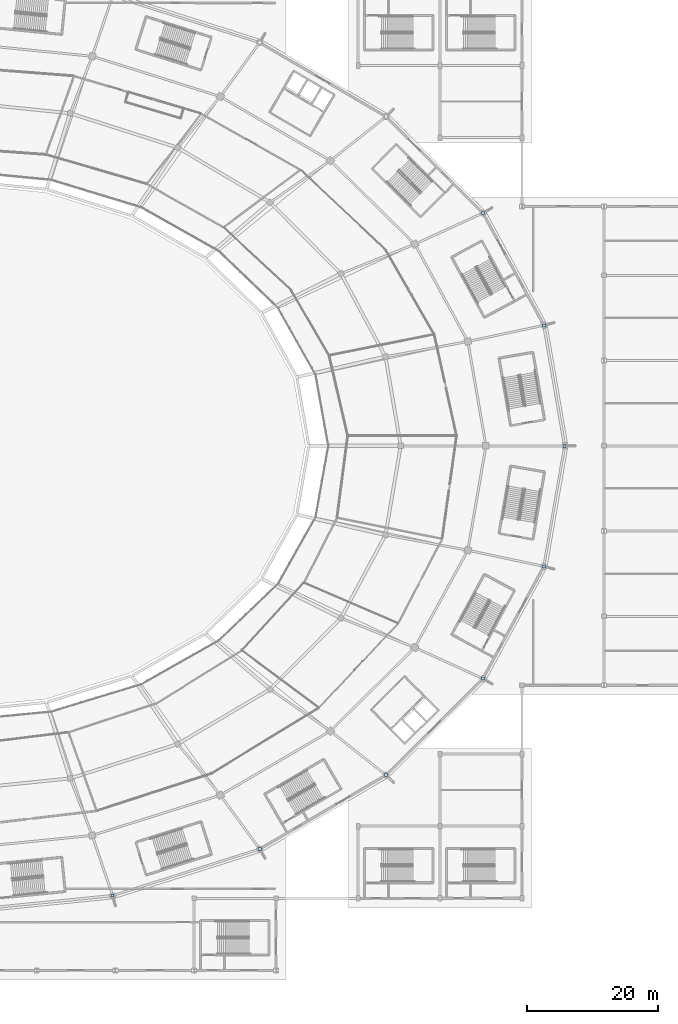
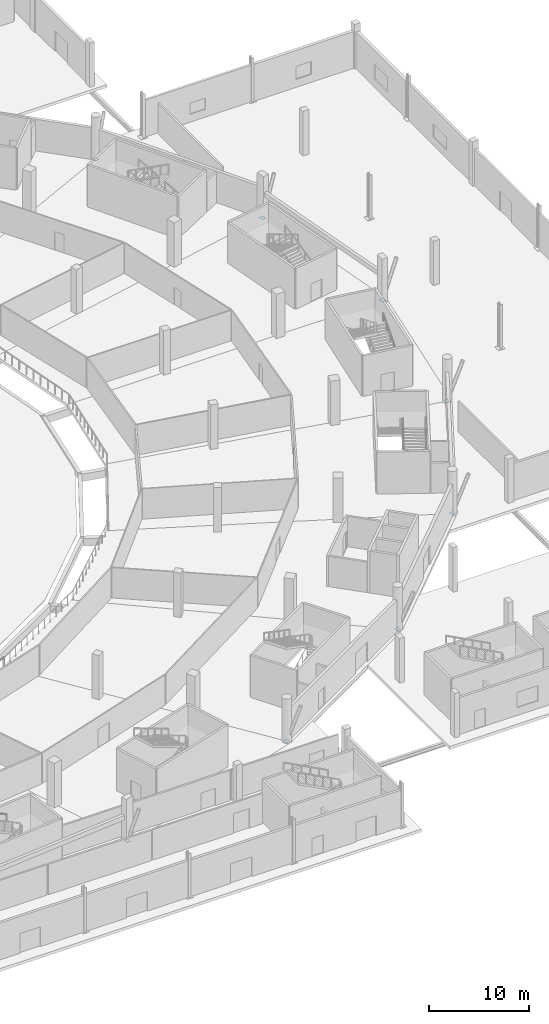
# One storey, part 34 of 82: 8 plates.
"""IFC4 building model written with IfcOpenShell, lengths in metres."""

from ifc_helpers import new_model, si_unit, direction, frame, origin, origin_2d, place, context, subcontext, project, spatial, rectangle, extrude, material, layer, layer_set, type_object, element, save


model = new_model("IFC4")

# Units and contexts
model_context = context("Model", 3, precision=1e-05, world=origin(), true_north=direction((0.0, 1.0)))
body_context = subcontext(model_context, "Body", "Model", "MODEL_VIEW")
ifc_project = project(units=[si_unit("LENGTHUNIT", "METRE"), si_unit("AREAUNIT", "SQUARE_METRE"), si_unit("VOLUMEUNIT", "CUBIC_METRE"), si_unit("PLANEANGLEUNIT", "RADIAN"), si_unit("MASSUNIT", "GRAM", prefix="KILO")], contexts=[model_context])

# Site, building, storey
site_placement = place(None, origin())
site = spatial("IfcSite", under=ifc_project, at=site_placement, CompositionType="ELEMENT")
building_placement = place(site_placement, origin())
building = spatial("IfcBuilding", under=site, at=building_placement, Name="Zlatoyarsky Gate Stadium", CompositionType="ELEMENT")
storey_placement = place(building_placement, origin())
storey = spatial("IfcBuildingStorey", under=building, at=storey_placement, Name="L00", CompositionType="ELEMENT", Elevation=0.0)

# Plates
ifc_material = material(Name="Steel S355", Category="steel")
ifc_layer = layer(ifc_material, 0.02392578125)
ifc_layer_set = layer_set([ifc_layer], Name="Steel S355")
plate_type = type_object("IfcPlateType", Name="STEEL HOLLOW CHORD SPLICE SHEET 24", PredefinedType="SHEET", material=ifc_layer_set)
for number, where, z_axis, x_axis, name in (
    (1, (204.0, 80.0, -0.011962890625), (0.0, 0.0, 1.0), (1.0, 0.0, 0.0), "Node closure plate ND-SP1 NCAP-L00-RSTRB-00"),
    (2, (200.8310546875, 98.376220703125, -0.011962890625), (0.0, 0.0, 1.0), (1.0, 0.0, 0.0), "Node closure plate ND-SP1 NCAP-L00-RSTRB-01"),
    (3, (191.540283203125, 115.5, -0.011962890625), (0.0, 0.0, 1.0), (1.0, 0.0, 0.0), "Node closure plate ND-SP1 NCAP-L00-RSTRB-02"),
    (4, (135.0703125, 11.419189453125, -0.011962890625), (0.0, 0.0, 1.0), (1.0, 0.0, 0.0), "Node closure plate ND-SP1 NCAP-L00-RSTRB-19"),
    (5, (157.5, 18.51220703125, -0.011962890625), (0.0, 0.0, 1.0), (1.0, 0.0, 0.0), "Node closure plate ND-SP1 NCAP-L00-RSTRB-20"),
    (6, (176.760986328125, 29.79541015625, -0.011962890625), (0.0, 0.0, 1.0), (1.0, 0.0, 0.0), "Node closure plate ND-SP1 NCAP-L00-RSTRB-21"),
    (7, (191.540283203125, 44.5, -0.011962890625), (0.0, 0.0, 1.0), (1.0, 0.0, 0.0), "Node closure plate ND-SP1 NCAP-L00-RSTRB-22"),
    (8, (200.8310546875, 61.623779296875, -0.011962890625), (0.0, 0.0, 1.0), (1.0, 0.0, 0.0), "Node closure plate ND-SP1 NCAP-L00-RSTRB-23"),
):
    element("IfcPlate", number, at=place(storey_placement, frame(where, z_axis=z_axis, x_axis=x_axis)), inside=storey, type_object=plate_type, Name=name, PredefinedType="SHEET", context=body_context, shape_type="SweptSolid", body=[
        extrude(rectangle(XDim=0.47998046875, YDim=0.47998046875, at=origin_2d()), origin(), (0.0, 0.0, 1.0), 0.02392578125),
    ])

save(model, "model.ifc")
